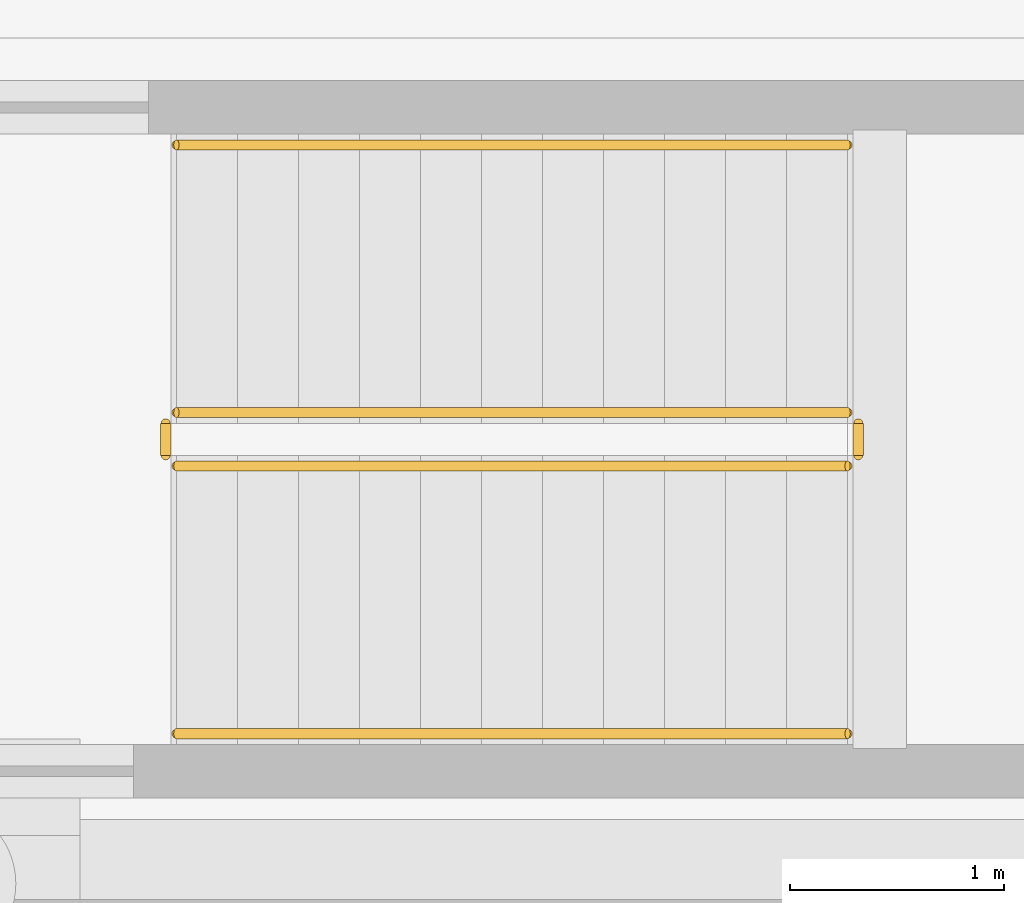
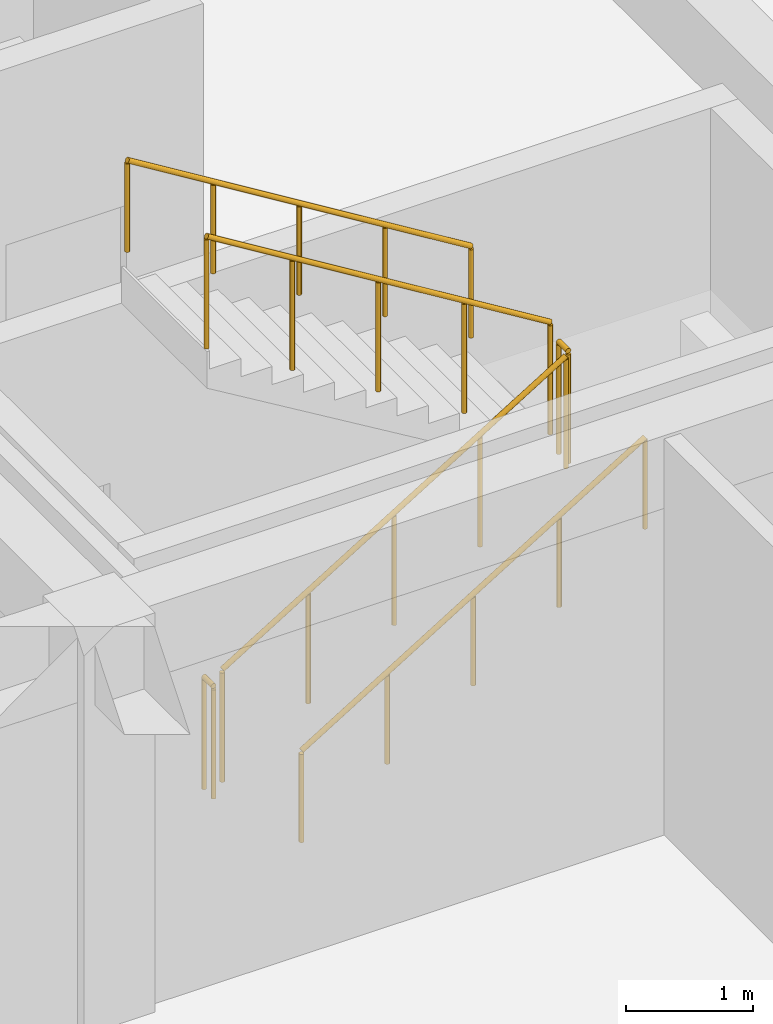
# One storey, part 7 of 10: 6 railings.
"""IFC4 building model written with IfcOpenShell, lengths in metres."""

import ifcopenshell
import ifcopenshell.guid

model = None  # the IFC model being written
_history = None  # IfcOwnerHistory: only IFC2X3 demands one
_inside = {}  # id of a spatial element -> (the spatial element, [elements in it])
_under = {}  # id of a project, library or spatial element -> (it, [spatial elements below it])
_declared = {}  # id of a project -> (the project, [libraries it declares])
_typed = {}  # id of a type object -> (the type object, [elements of that type])
_made_of = {}  # id of a material, layer set ... -> (it, [elements and type objects made of it])


def new_model(schema):
    """Start an empty IFC model of exactly this schema.

    Asked for "IFC4X3", IfcOpenShell would pick the latest addendum, in which some entities
    have other attributes; the version numbers below select the first issue.
    IFC2X3 requires an IfcOwnerHistory on every rooted entity: one is made here for all.
    """
    global model, _history
    if schema == "IFC4X3":
        model = ifcopenshell.file(schema_version=(4, 3, 0, 0))
    else:
        model = ifcopenshell.file(schema=schema)
    _inside.clear()
    _under.clear()
    _declared.clear()
    _typed.clear()
    _made_of.clear()
    _history = None
    if model.schema == "IFC2X3":
        org = make("IfcOrganization", Name="unknown")
        user = make(
            "IfcPersonAndOrganization",
            ThePerson=make("IfcPerson", FamilyName="unknown"),
            TheOrganization=org,
        )
        app = make(
            "IfcApplication",
            ApplicationDeveloper=org,
            Version="unknown",
            ApplicationFullName="unknown",
            ApplicationIdentifier="unknown",
        )
        _history = make(
            "IfcOwnerHistory",
            OwningUser=user,
            OwningApplication=app,
            ChangeAction="ADDED",
            CreationDate=0,
        )
    return model


def make(cls, **values):
    """One entity of the class cls with the attributes given. An attribute that is None is left unset."""
    return model.create_entity(
        cls, **{name: value for name, value in values.items() if value is not None}
    )


def rooted(cls, **values):
    """An entity with a GlobalId (a new one), such as an element, a storey or a relation."""
    return make(cls, GlobalId=ifcopenshell.guid.new(), OwnerHistory=_history, **values)


def si_unit(unit_type, name, prefix=None):
    """IfcSIUnit, for example si_unit("LENGTHUNIT", "METRE", prefix="MILLI")."""
    return make("IfcSIUnit", UnitType=unit_type, Prefix=prefix, Name=name)


def assignment(units):
    """IfcUnitAssignment: the units of a project."""
    return None if units is None else make("IfcUnitAssignment", Units=units)


def point(xyz):
    """IfcCartesianPoint."""
    return None if xyz is None else make("IfcCartesianPoint", Coordinates=xyz)


def direction(xyz):
    """IfcDirection."""
    return None if xyz is None else make("IfcDirection", DirectionRatios=xyz)


def frame(location, z_axis=None, x_axis=None):
    """IfcAxis2Placement3D, a coordinate frame: its origin and axes. An axis left out is left unset."""
    return make(
        "IfcAxis2Placement3D",
        Location=point(location),
        Axis=direction(z_axis),
        RefDirection=direction(x_axis),
    )


def frame_2d(location, x_axis=None):
    """IfcAxis2Placement2D, a coordinate frame in the plane: its origin and x axis."""
    return make(
        "IfcAxis2Placement2D", Location=point(location), RefDirection=direction(x_axis)
    )


def origin():
    """The frame at (0, 0, 0) with its axes left unset."""
    return frame((0.0, 0.0, 0.0))


def origin_2d():
    """The frame at (0, 0) in the plane with its x axis left unset."""
    return frame_2d((0.0, 0.0))


def place(relative_to, where):
    """IfcLocalPlacement: puts the frame where relative to a parent placement (None: the world)."""
    return make(
        "IfcLocalPlacement", PlacementRelTo=relative_to, RelativePlacement=where
    )


def context(
    kind, dimensions, precision=None, world=None, true_north=None, identifier=None
):
    """IfcGeometricRepresentationContext, for example the 3D "Model" context."""
    return make(
        "IfcGeometricRepresentationContext",
        ContextIdentifier=identifier,
        ContextType=kind,
        CoordinateSpaceDimension=dimensions,
        Precision=precision,
        WorldCoordinateSystem=world,
        TrueNorth=true_north,
    )


def subcontext(parent, identifier, kind, view, scale=None):
    """IfcGeometricRepresentationSubContext, for example "Body" below "Model"."""
    return make(
        "IfcGeometricRepresentationSubContext",
        ContextIdentifier=identifier,
        ContextType=kind,
        ParentContext=parent,
        TargetScale=scale,
        TargetView=view,
    )


def project(units=None, contexts=None):
    """IfcProject with its units and contexts."""
    return rooted(
        "IfcProject",
        Name="project",
        RepresentationContexts=contexts,
        UnitsInContext=assignment(units),
    )


def spatial(cls, under=None, at=None, **own):
    """A site, building, storey or space (cls), placed at a placement, below another one or the project."""
    s = rooted(cls, ObjectPlacement=at, **own)
    if under is not None:
        _under.setdefault(under.id(), (under, []))[1].append(s)
    return s


def profile(cls, at=None, kind="AREA", **sizes):
    """A parametric profile (cls). Its sizes go by their IFC names, for example OverallWidth=200.0."""
    return make(cls, ProfileType=kind, Position=at, **sizes)


def circle(**sizes):
    """IfcCircleProfileDef."""
    return profile("IfcCircleProfileDef", **sizes)


def extrude(swept, where, along, depth):
    """IfcExtrudedAreaSolid: the profile swept, set in the frame where, extruded along a direction by depth."""
    return make(
        "IfcExtrudedAreaSolid",
        SweptArea=swept,
        Position=where,
        ExtrudedDirection=direction(along),
        Depth=depth,
    )


def shape(context_of_items, identifier, shape_type, items):
    """IfcShapeRepresentation: the items that make up one representation, for example the "Body"."""
    return make(
        "IfcShapeRepresentation",
        ContextOfItems=context_of_items,
        RepresentationIdentifier=identifier,
        RepresentationType=shape_type,
        Items=items,
    )


def material(Name=None, Category=None):
    """IfcMaterial."""
    return make("IfcMaterial", Name=Name, Category=Category)


def made_of(thing, what):
    """Note that an element or type object is made of a material, layer set ...; save() writes the relation."""
    if what is not None:
        _made_of.setdefault(what.id(), (what, []))[1].append(thing)
    return thing


def type_object(cls, material=None, **own):
    """A type object (cls), such as IfcWallType, which elements share."""
    return made_of(rooted(cls, **own), material)


def element(
    cls,
    number,
    at=None,
    inside=None,
    cuts=None,
    type_object=None,
    material=None,
    context=None,
    identifier="Body",
    shape_type=None,
    held_by="IfcProductDefinitionShape",
    body=None,
    shapes=None,
    **own,
):
    """One element of the class cls, such as IfcWall. Its Tag is "e" and its number.

    at: its placement. inside: the storey or other place that contains it. cuts: it is an
    opening in that element (IfcRelVoidsElement). A single representation is given by context,
    identifier, shape_type and body (its items); several are given by shapes. held_by: the class
    of the entity that holds the representations. save() writes the other relations.
    """
    e = rooted(cls, Tag="e%d" % number, ObjectPlacement=at, **own)
    if body is not None:
        shapes = [shape(context, identifier, shape_type, body)]
    if shapes is not None:
        e.Representation = make(held_by, Representations=shapes)
    if inside is not None:
        _inside.setdefault(inside.id(), (inside, []))[1].append(e)
    if cuts is not None:
        rooted(
            "IfcRelVoidsElement", RelatingBuildingElement=cuts, RelatedOpeningElement=e
        )
    if type_object is not None:
        _typed.setdefault(type_object.id(), (type_object, []))[1].append(e)
    return made_of(e, material)


def aggregate(whole, parts):
    """IfcRelAggregates: a whole, such as a stair, and the parts it consists of."""
    return rooted("IfcRelAggregates", RelatingObject=whole, RelatedObjects=parts)


def save(model, path):
    """Write the relations noted so far, then the file.

    IfcRelAggregates (storeys below a building ...), IfcRelContainedInSpatialStructure (elements
    in a storey), IfcRelDefinesByType, IfcRelAssociatesMaterial and IfcRelDeclares: one each for
    every whole, place, type object, material and project.
    """
    for whole, parts in _under.values():
        aggregate(whole, parts)
    for where, things in _inside.values():
        rooted(
            "IfcRelContainedInSpatialStructure",
            RelatedElements=things,
            RelatingStructure=where,
        )
    for kind, things in _typed.values():
        rooted("IfcRelDefinesByType", RelatedObjects=things, RelatingType=kind)
    for what, things in _made_of.values():
        rooted("IfcRelAssociatesMaterial", RelatedObjects=things, RelatingMaterial=what)
    for by, libraries in _declared.values():
        rooted("IfcRelDeclares", RelatingContext=by, RelatedDefinitions=libraries)
    model.write(path)


model = new_model("IFC4")

# Units and contexts
model_context = context("Model", 3, precision=1e-05, world=origin(), true_north=direction((0.0, 1.0)))
body_context = subcontext(model_context, "Body", "Model", "MODEL_VIEW")
ifc_project = project(units=[si_unit("LENGTHUNIT", "METRE"), si_unit("AREAUNIT", "SQUARE_METRE"), si_unit("VOLUMEUNIT", "CUBIC_METRE"), si_unit("PLANEANGLEUNIT", "RADIAN"), si_unit("MASSUNIT", "GRAM", prefix="KILO")], contexts=[model_context])

# Site, building, storey
site_placement = place(None, origin())
site = spatial("IfcSite", under=ifc_project, at=site_placement, CompositionType="ELEMENT")
building_placement = place(site_placement, origin())
building = spatial("IfcBuilding", under=site, at=building_placement, Name="Kestramere Prow Commons", CompositionType="ELEMENT")
storey_placement = place(building_placement, frame((0.0, 0.0, -4.199951171875)))
storey = spatial("IfcBuildingStorey", under=building, at=storey_placement, Name="B1", CompositionType="ELEMENT", Elevation=-4.199951171875)

# Railings
ifc_material_1 = material(Name="Galvanised Steel S275JR", Category="steel")
railing_type_1 = type_object("IfcRailingType", Name="RL-ST-GR-1100", PredefinedType="GUARDRAIL", material=ifc_material_1)
railing_1_placement = place(storey_placement, frame((62.25, 13.949951171875, 0.175048828125)))
element("IfcRailing", 1, at=railing_1_placement, inside=storey, type_object=railing_type_1, Name="B1 ST-M1 stair guard 1", PredefinedType="GUARDRAIL", context=body_context, shape_type="SweptSolid", body=[
    extrude(circle(Radius=0.02392578125, at=origin_2d()), frame((0.0, 0.0, 1.076171875), z_axis=(0.852195625947, 0.0, 0.523223293744), x_axis=(0.0, 1.0, 0.0)), (0.0, 0.0, 1.0), 3.6787109375),
    extrude(circle(Radius=0.02099609375, at=origin_2d()), origin(), (0.0, 0.0, 1.0), 1.052001953125),
    extrude(circle(Radius=0.02099609375, at=origin_2d()), frame((0.78369140625, 0.0, 0.481201171875)), (0.0, 0.0, 1.0), 1.052001953125),
    extrude(circle(Radius=0.02099609375, at=origin_2d()), frame((1.5673828125, 0.0, 0.96240234375)), (0.0, 0.0, 1.0), 1.052001953125),
    extrude(circle(Radius=0.02099609375, at=origin_2d()), frame((2.351318359375, 0.0, 1.443603515625)), (0.0, 0.0, 1.0), 1.052001953125),
    extrude(circle(Radius=0.02099609375, at=origin_2d()), frame((3.135009765625, 0.0, 1.9248046875)), (0.0, 0.0, 1.0), 1.052001953125),
])
railing_2_placement = place(storey_placement, frame((65.43505859375, 14.0, 2.099853515625)))
element("IfcRailing", 2, at=railing_2_placement, inside=storey, type_object=railing_type_1, Name="B1 ST-M1 stair guard 2", PredefinedType="GUARDRAIL", context=body_context, shape_type="SweptSolid", body=[
    extrude(circle(Radius=0.02392578125, at=origin_2d()), frame((0.0, 0.0, 1.076171875), z_axis=(0.0, 1.0, 0.0), x_axis=(-1.0, 0.0, 0.0)), (0.0, 0.0, 1.0), 0.14990234375),
    extrude(circle(Radius=0.02099609375, at=origin_2d()), origin(), (0.0, 0.0, 1.0), 1.052001953125),
    extrude(circle(Radius=0.02099609375, at=origin_2d()), frame((0.0, 0.14990234375, 0.0)), (0.0, 0.0, 1.0), 1.052001953125),
])
railing_3_placement = place(storey_placement, frame((65.385009765625, 14.199951171875, 2.27490234375)))
element("IfcRailing", 3, at=railing_3_placement, inside=storey, type_object=railing_type_1, Name="B1 ST-M1 stair guard 3", PredefinedType="GUARDRAIL", context=body_context, shape_type="SweptSolid", body=[
    extrude(circle(Radius=0.02392578125, at=origin_2d()), frame((0.0, 0.0, 1.076171875), z_axis=(-0.852166034122, 0.0, 0.523271488128), x_axis=(0.0, -1.0, 0.0)), (0.0, 0.0, 1.0), 3.678955078125),
    extrude(circle(Radius=0.02099609375, at=origin_2d()), origin(), (0.0, 0.0, 1.0), 1.052001953125),
    extrude(circle(Radius=0.02099609375, at=origin_2d()), frame((-0.78369140625, 0.0, 0.481201171875)), (0.0, 0.0, 1.0), 1.052001953125),
    extrude(circle(Radius=0.02099609375, at=origin_2d()), frame((-1.5673828125, 0.0, 0.96240234375)), (0.0, 0.0, 1.0), 1.052001953125),
    extrude(circle(Radius=0.02099609375, at=origin_2d()), frame((-2.351318359375, 0.0, 1.44384765625)), (0.0, 0.0, 1.0), 1.052001953125),
    extrude(circle(Radius=0.02099609375, at=origin_2d()), frame((-3.135009765625, 0.0, 1.925048828125)), (0.0, 0.0, 1.0), 1.052001953125),
])
railing_4_placement = place(storey_placement, frame((62.199951171875, 14.0, 0.0)))
element("IfcRailing", 4, at=railing_4_placement, inside=storey, type_object=railing_type_1, Name="B1 ST-M1 stair guard 4", PredefinedType="GUARDRAIL", context=body_context, shape_type="SweptSolid", body=[
    extrude(circle(Radius=0.02392578125, at=origin_2d()), frame((0.0, 0.0, 1.076171875), z_axis=(0.0, 1.0, 0.0), x_axis=(-1.0, 0.0, 0.0)), (0.0, 0.0, 1.0), 0.14990234375),
    extrude(circle(Radius=0.02099609375, at=origin_2d()), origin(), (0.0, 0.0, 1.0), 1.052001953125),
    extrude(circle(Radius=0.02099609375, at=origin_2d()), frame((0.0, 0.14990234375, 0.0)), (0.0, 0.0, 1.0), 1.052001953125),
])
ifc_material_2 = material(Name="Stainless Steel 304", Category="steel")
railing_type_2 = type_object("IfcRailingType", Name="RL-ST-HR-900", PredefinedType="HANDRAIL", material=ifc_material_2)
railing_5_placement = place(storey_placement, frame((62.25, 12.699951171875, 0.349853515625)))
element("IfcRailing", 5, at=railing_5_placement, inside=storey, type_object=railing_type_2, Name="B1 ST-M1 stair handrail 1", PredefinedType="HANDRAIL", context=body_context, shape_type="SweptSolid", body=[
    extrude(circle(Radius=0.02392578125, at=origin_2d()), frame((0.0, 0.0, 0.8759765625), z_axis=(0.852166034122, 0.0, 0.523271488128), x_axis=(0.0, 1.0, 0.0)), (0.0, 0.0, 1.0), 3.678955078125),
    extrude(circle(Radius=0.02099609375, at=origin_2d()), origin(), (0.0, 0.0, 1.0), 0.851806640625),
    extrude(circle(Radius=0.02099609375, at=origin_2d()), frame((0.78369140625, 0.0, 0.481201171875)), (0.0, 0.0, 1.0), 0.851806640625),
    extrude(circle(Radius=0.02099609375, at=origin_2d()), frame((1.5673828125, 0.0, 0.96240234375)), (0.0, 0.0, 1.0), 0.851806640625),
    extrude(circle(Radius=0.02099609375, at=origin_2d()), frame((2.351318359375, 0.0, 1.44384765625)), (0.0, 0.0, 1.0), 0.851806640625),
    extrude(circle(Radius=0.02099609375, at=origin_2d()), frame((3.135009765625, 0.0, 1.925048828125)), (0.0, 0.0, 1.0), 0.851806640625),
])
railing_6_placement = place(storey_placement, frame((65.385009765625, 15.449951171875, 2.449951171875)))
element("IfcRailing", 6, at=railing_6_placement, inside=storey, type_object=railing_type_2, Name="B1 ST-M1 stair handrail 2", PredefinedType="HANDRAIL", context=body_context, shape_type="SweptSolid", body=[
    extrude(circle(Radius=0.02392578125, at=origin_2d()), frame((0.0, 0.0, 0.8759765625), z_axis=(-0.852166034122, 0.0, 0.523271488128), x_axis=(0.0, -1.0, 0.0)), (0.0, 0.0, 1.0), 3.678955078125),
    extrude(circle(Radius=0.02099609375, at=origin_2d()), origin(), (0.0, 0.0, 1.0), 0.851806640625),
    extrude(circle(Radius=0.02099609375, at=origin_2d()), frame((-0.78369140625, 0.0, 0.481201171875)), (0.0, 0.0, 1.0), 0.851806640625),
    extrude(circle(Radius=0.02099609375, at=origin_2d()), frame((-1.5673828125, 0.0, 0.96240234375)), (0.0, 0.0, 1.0), 0.851806640625),
    extrude(circle(Radius=0.02099609375, at=origin_2d()), frame((-2.351318359375, 0.0, 1.44384765625)), (0.0, 0.0, 1.0), 0.851806640625),
    extrude(circle(Radius=0.02099609375, at=origin_2d()), frame((-3.135009765625, 0.0, 1.925048828125)), (0.0, 0.0, 1.0), 0.851806640625),
])

save(model, "model.ifc")
